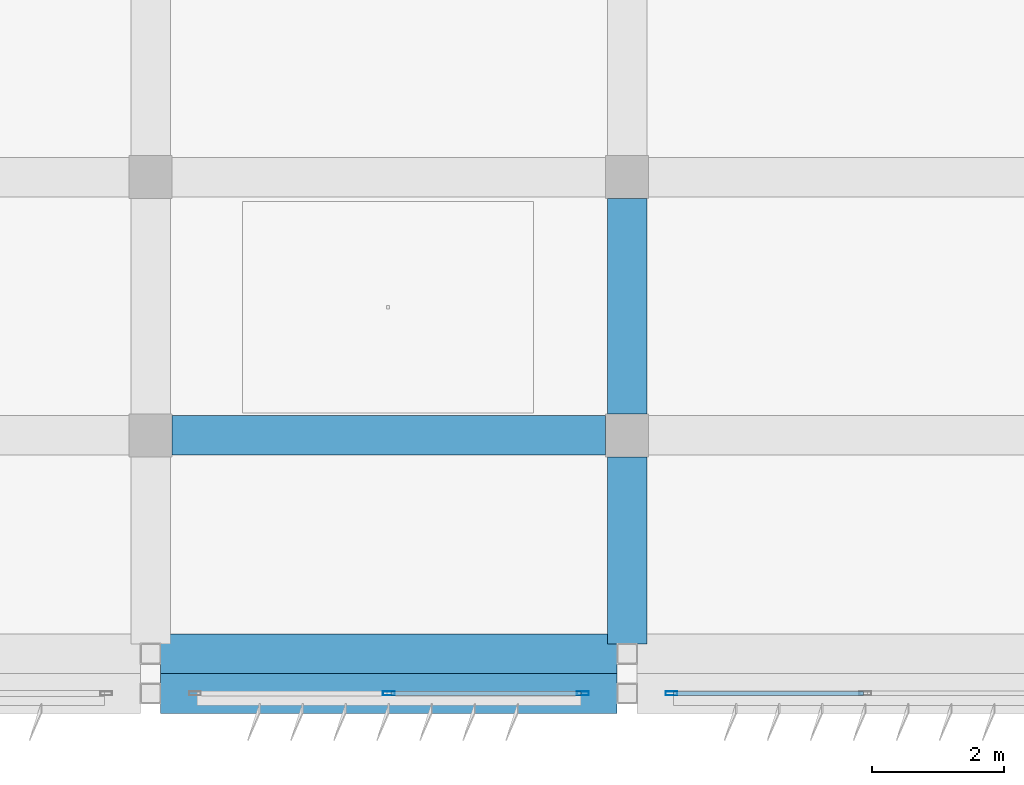
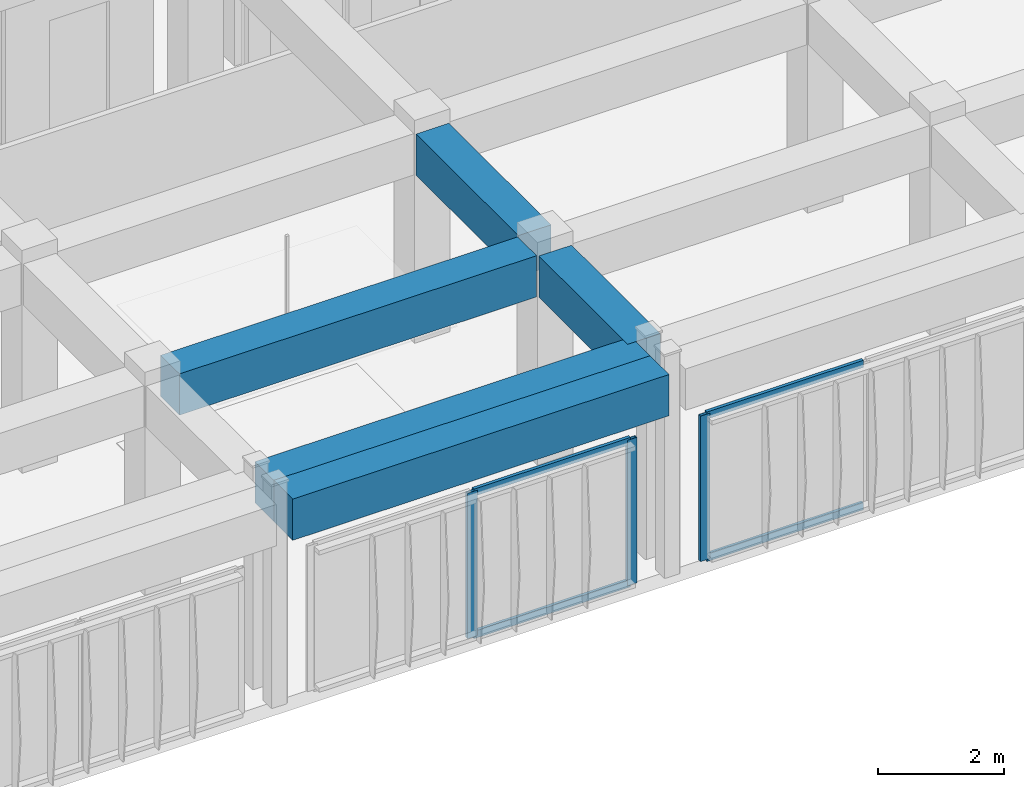
# One storey, part 8 of 42: 7 members, 5 beams, 2 elements without a shape of their own.
"""IFC4 building model written with IfcOpenShell, lengths in metres."""

import ifcopenshell
import ifcopenshell.guid

model = None  # the IFC model being written
_history = None  # IfcOwnerHistory: only IFC2X3 demands one
_inside = {}  # id of a spatial element -> (the spatial element, [elements in it])
_under = {}  # id of a project, library or spatial element -> (it, [spatial elements below it])
_declared = {}  # id of a project -> (the project, [libraries it declares])
_typed = {}  # id of a type object -> (the type object, [elements of that type])
_made_of = {}  # id of a material, layer set ... -> (it, [elements and type objects made of it])


def new_model(schema):
    """Start an empty IFC model of exactly this schema.

    Asked for "IFC4X3", IfcOpenShell would pick the latest addendum, in which some entities
    have other attributes; the version numbers below select the first issue.
    IFC2X3 requires an IfcOwnerHistory on every rooted entity: one is made here for all.
    """
    global model, _history
    if schema == "IFC4X3":
        model = ifcopenshell.file(schema_version=(4, 3, 0, 0))
    else:
        model = ifcopenshell.file(schema=schema)
    _inside.clear()
    _under.clear()
    _declared.clear()
    _typed.clear()
    _made_of.clear()
    _history = None
    if model.schema == "IFC2X3":
        org = make("IfcOrganization", Name="unknown")
        user = make(
            "IfcPersonAndOrganization",
            ThePerson=make("IfcPerson", FamilyName="unknown"),
            TheOrganization=org,
        )
        app = make(
            "IfcApplication",
            ApplicationDeveloper=org,
            Version="unknown",
            ApplicationFullName="unknown",
            ApplicationIdentifier="unknown",
        )
        _history = make(
            "IfcOwnerHistory",
            OwningUser=user,
            OwningApplication=app,
            ChangeAction="ADDED",
            CreationDate=0,
        )
    return model


def make(cls, **values):
    """One entity of the class cls with the attributes given. An attribute that is None is left unset."""
    return model.create_entity(
        cls, **{name: value for name, value in values.items() if value is not None}
    )


def rooted(cls, **values):
    """An entity with a GlobalId (a new one), such as an element, a storey or a relation."""
    return make(cls, GlobalId=ifcopenshell.guid.new(), OwnerHistory=_history, **values)


def si_unit(unit_type, name, prefix=None):
    """IfcSIUnit, for example si_unit("LENGTHUNIT", "METRE", prefix="MILLI")."""
    return make("IfcSIUnit", UnitType=unit_type, Prefix=prefix, Name=name)


def assignment(units):
    """IfcUnitAssignment: the units of a project."""
    return None if units is None else make("IfcUnitAssignment", Units=units)


def point(xyz):
    """IfcCartesianPoint."""
    return None if xyz is None else make("IfcCartesianPoint", Coordinates=xyz)


def direction(xyz):
    """IfcDirection."""
    return None if xyz is None else make("IfcDirection", DirectionRatios=xyz)


def frame(location, z_axis=None, x_axis=None):
    """IfcAxis2Placement3D, a coordinate frame: its origin and axes. An axis left out is left unset."""
    return make(
        "IfcAxis2Placement3D",
        Location=point(location),
        Axis=direction(z_axis),
        RefDirection=direction(x_axis),
    )


def frame_2d(location, x_axis=None):
    """IfcAxis2Placement2D, a coordinate frame in the plane: its origin and x axis."""
    return make(
        "IfcAxis2Placement2D", Location=point(location), RefDirection=direction(x_axis)
    )


def origin():
    """The frame at (0, 0, 0) with its axes left unset."""
    return frame((0.0, 0.0, 0.0))


def origin_2d():
    """The frame at (0, 0) in the plane with its x axis left unset."""
    return frame_2d((0.0, 0.0))


def place(relative_to, where):
    """IfcLocalPlacement: puts the frame where relative to a parent placement (None: the world)."""
    return make(
        "IfcLocalPlacement", PlacementRelTo=relative_to, RelativePlacement=where
    )


def context(
    kind, dimensions, precision=None, world=None, true_north=None, identifier=None
):
    """IfcGeometricRepresentationContext, for example the 3D "Model" context."""
    return make(
        "IfcGeometricRepresentationContext",
        ContextIdentifier=identifier,
        ContextType=kind,
        CoordinateSpaceDimension=dimensions,
        Precision=precision,
        WorldCoordinateSystem=world,
        TrueNorth=true_north,
    )


def subcontext(parent, identifier, kind, view, scale=None):
    """IfcGeometricRepresentationSubContext, for example "Body" below "Model"."""
    return make(
        "IfcGeometricRepresentationSubContext",
        ContextIdentifier=identifier,
        ContextType=kind,
        ParentContext=parent,
        TargetScale=scale,
        TargetView=view,
    )


def project(units=None, contexts=None):
    """IfcProject with its units and contexts."""
    return rooted(
        "IfcProject",
        Name="project",
        RepresentationContexts=contexts,
        UnitsInContext=assignment(units),
    )


def spatial(cls, under=None, at=None, **own):
    """A site, building, storey or space (cls), placed at a placement, below another one or the project."""
    s = rooted(cls, ObjectPlacement=at, **own)
    if under is not None:
        _under.setdefault(under.id(), (under, []))[1].append(s)
    return s


def profile(cls, at=None, kind="AREA", **sizes):
    """A parametric profile (cls). Its sizes go by their IFC names, for example OverallWidth=200.0."""
    return make(cls, ProfileType=kind, Position=at, **sizes)


def rectangle(**sizes):
    """IfcRectangleProfileDef."""
    return profile("IfcRectangleProfileDef", **sizes)


def hollow_rectangle(**sizes):
    """IfcRectangleHollowProfileDef."""
    return profile("IfcRectangleHollowProfileDef", **sizes)


def extrude(swept, where, along, depth):
    """IfcExtrudedAreaSolid: the profile swept, set in the frame where, extruded along a direction by depth."""
    return make(
        "IfcExtrudedAreaSolid",
        SweptArea=swept,
        Position=where,
        ExtrudedDirection=direction(along),
        Depth=depth,
    )


def shape(context_of_items, identifier, shape_type, items):
    """IfcShapeRepresentation: the items that make up one representation, for example the "Body"."""
    return make(
        "IfcShapeRepresentation",
        ContextOfItems=context_of_items,
        RepresentationIdentifier=identifier,
        RepresentationType=shape_type,
        Items=items,
    )


def material(Name=None, Category=None):
    """IfcMaterial."""
    return make("IfcMaterial", Name=Name, Category=Category)


def material_profile(
    of_material, cross_section, Name=None, Category=None, Priority=None
):
    """IfcMaterialProfile: a cross section and its material."""
    return make(
        "IfcMaterialProfile",
        Name=Name,
        Material=of_material,
        Profile=cross_section,
        Priority=Priority,
        Category=Category,
    )


def profile_set(profiles, Name=None, composite=None):
    """IfcMaterialProfileSet."""
    return make(
        "IfcMaterialProfileSet",
        Name=Name,
        MaterialProfiles=profiles,
        CompositeProfile=composite,
    )


def made_of(thing, what):
    """Note that an element or type object is made of a material, layer set ...; save() writes the relation."""
    if what is not None:
        _made_of.setdefault(what.id(), (what, []))[1].append(thing)
    return thing


def type_object(cls, material=None, **own):
    """A type object (cls), such as IfcWallType, which elements share."""
    return made_of(rooted(cls, **own), material)


def element(
    cls,
    number,
    at=None,
    inside=None,
    cuts=None,
    type_object=None,
    material=None,
    context=None,
    identifier="Body",
    shape_type=None,
    held_by="IfcProductDefinitionShape",
    body=None,
    shapes=None,
    **own,
):
    """One element of the class cls, such as IfcWall. Its Tag is "e" and its number.

    at: its placement. inside: the storey or other place that contains it. cuts: it is an
    opening in that element (IfcRelVoidsElement). A single representation is given by context,
    identifier, shape_type and body (its items); several are given by shapes. held_by: the class
    of the entity that holds the representations. save() writes the other relations.
    """
    e = rooted(cls, Tag="e%d" % number, ObjectPlacement=at, **own)
    if body is not None:
        shapes = [shape(context, identifier, shape_type, body)]
    if shapes is not None:
        e.Representation = make(held_by, Representations=shapes)
    if inside is not None:
        _inside.setdefault(inside.id(), (inside, []))[1].append(e)
    if cuts is not None:
        rooted(
            "IfcRelVoidsElement", RelatingBuildingElement=cuts, RelatedOpeningElement=e
        )
    if type_object is not None:
        _typed.setdefault(type_object.id(), (type_object, []))[1].append(e)
    return made_of(e, material)


def aggregate(whole, parts):
    """IfcRelAggregates: a whole, such as a stair, and the parts it consists of."""
    return rooted("IfcRelAggregates", RelatingObject=whole, RelatedObjects=parts)


def save(model, path):
    """Write the relations noted so far, then the file.

    IfcRelAggregates (storeys below a building ...), IfcRelContainedInSpatialStructure (elements
    in a storey), IfcRelDefinesByType, IfcRelAssociatesMaterial and IfcRelDeclares: one each for
    every whole, place, type object, material and project.
    """
    for whole, parts in _under.values():
        aggregate(whole, parts)
    for where, things in _inside.values():
        rooted(
            "IfcRelContainedInSpatialStructure",
            RelatedElements=things,
            RelatingStructure=where,
        )
    for kind, things in _typed.values():
        rooted("IfcRelDefinesByType", RelatedObjects=things, RelatingType=kind)
    for what, things in _made_of.values():
        rooted("IfcRelAssociatesMaterial", RelatedObjects=things, RelatingMaterial=what)
    for by, libraries in _declared.values():
        rooted("IfcRelDeclares", RelatingContext=by, RelatedDefinitions=libraries)
    model.write(path)


model = new_model("IFC4")

# Units and contexts
model_context = context("Model", 3, precision=1e-05, world=origin(), true_north=direction((0.0, 1.0)))
body_context = subcontext(model_context, "Body", "Model", "MODEL_VIEW")
ifc_project = project(units=[si_unit("LENGTHUNIT", "METRE"), si_unit("AREAUNIT", "SQUARE_METRE"), si_unit("VOLUMEUNIT", "CUBIC_METRE"), si_unit("PLANEANGLEUNIT", "RADIAN"), si_unit("MASSUNIT", "GRAM", prefix="KILO")], contexts=[model_context])

# Site, building, storey
site_placement = place(None, origin())
site = spatial("IfcSite", under=ifc_project, at=site_placement, CompositionType="ELEMENT")
building_placement = place(site_placement, origin())
building = spatial("IfcBuilding", under=site, at=building_placement, Name="Kazehaya Institute of Natural Sciences", CompositionType="ELEMENT")
storey_placement = place(building_placement, frame((0.0, 0.0, 37.6201171875)))
storey = spatial("IfcBuildingStorey", under=building, at=storey_placement, Name="L08", CompositionType="ELEMENT", Elevation=37.6201171875)

# Beams
ifc_material_1 = material(Name="Concrete Fc36", Category="concrete")
ifc_material_profile_1 = material_profile(ifc_material_1, rectangle(XDim=0.60009765625, YDim=0.800048828125, at=origin_2d()), Name="RC-600x800")
ifc_profile_set_1 = profile_set([ifc_material_profile_1], Name="Concrete Fc36")
beam_type = type_object("IfcBeamType", Name="BM-G-600x800", PredefinedType="BEAM", material=ifc_profile_set_1)
for number, where, z_axis, x_axis, name in (
    (1, (76.35009765625, 6.199951171875, 3.64990234375), (1.0, 0.0, 0.0), (0.0, 1.0, 0.0), "L08 primary X girder BMX-L08-762-62"),
    (2, (76.35009765625, 6.800048828125, 3.64990234375), (1.0, 0.0, 0.0), (0.0, 1.0, 0.0), "L08 primary X girder BMX-L08-762-68"),
):
    element("IfcBeam", number, at=place(storey_placement, frame(where, z_axis=z_axis, x_axis=x_axis)), inside=storey, type_object=beam_type, Name=name, PredefinedType="BEAM", context=body_context, shape_type="SweptSolid", body=[
        extrude(rectangle(XDim=0.60009765625, YDim=0.800048828125, at=origin_2d()), origin(), (0.0, 0.0, 1.0), 6.89990234375),
    ])
beam_1_placement = place(storey_placement, frame((76.52490234375, 10.10009765625, 3.64990234375), z_axis=(1.0, 0.0, 0.0), x_axis=(0.0, 1.0, 0.0)))
element("IfcBeam", 3, at=beam_1_placement, inside=storey, type_object=beam_type, Name="L08 primary X girder BMX-L08-762-101", PredefinedType="BEAM", context=body_context, shape_type="SweptSolid", body=[
    extrude(rectangle(XDim=0.60009765625, YDim=0.800048828125, at=origin_2d()), origin(), (0.0, 0.0, 1.0), 6.550048828125),
])
beam_2_placement = place(storey_placement, frame((83.39990234375, 6.949951171875, 3.64990234375), z_axis=(0.0, 1.0, 0.0), x_axis=(-1.0, 0.0, 0.0)))
element("IfcBeam", 4, at=beam_2_placement, inside=storey, type_object=beam_type, Name="L08 primary Y girder BMY-L08-834-68", PredefinedType="BEAM", context=body_context, shape_type="SweptSolid", body=[
    extrude(rectangle(XDim=0.60009765625, YDim=0.800048828125, at=origin_2d()), origin(), (0.0, 0.0, 1.0), 2.824951171875),
])
beam_3_placement = place(storey_placement, frame((83.39990234375, 10.425048828125, 3.64990234375), z_axis=(0.0, 1.0, 0.0), x_axis=(-1.0, 0.0, 0.0)))
element("IfcBeam", 5, at=beam_3_placement, inside=storey, type_object=beam_type, Name="L08 primary Y girder BMY-L08-834-101", PredefinedType="BEAM", context=body_context, shape_type="SweptSolid", body=[
    extrude(rectangle(XDim=0.60009765625, YDim=0.800048828125, at=origin_2d()), origin(), (0.0, 0.0, 1.0), 3.25),
])

# Curtain wall, member
ifc_material_2 = material(Name="Aluminium alloy A6063S-T5", Category="aluminium")
curtain_wall_type = type_object("IfcCurtainWallType", Name="CW-SYS-05", PredefinedType="NOTDEFINED", material=ifc_material_2)
curtain_wall_1_placement = place(storey_placement, origin())
curtain_wall_1 = element("IfcCurtainWall", 6, at=curtain_wall_1_placement, inside=storey, type_object=curtain_wall_type, Name="L08 unitised curtain wall CW-L08-180", PredefinedType="NOTDEFINED")
ifc_material_profile_2 = material_profile(ifc_material_2, hollow_rectangle(XDim=0.06005859375, YDim=0.179931640625, WallThickness=0.00390625, at=origin_2d()), Name="ALU-60x180x4")
ifc_profile_set_2 = profile_set([ifc_material_profile_2], Name="Aluminium alloy A6063S-T5")
member_type_1 = type_object("IfcMemberType", Name="CWM-180", PredefinedType="MULLION", material=ifc_profile_set_2)
member_1_placement = place(storey_placement, frame((84.070068359375, 6.199951171875, 0.0), z_axis=(0.0, 0.0, 1.0), x_axis=(0.0, -1.0, 0.0)))
member_1 = element("IfcMember", 7, at=member_1_placement, type_object=member_type_1, Name="CW05 mullion 3", PredefinedType="MULLION", context=body_context, shape_type="SweptSolid", body=[
    extrude(hollow_rectangle(XDim=0.06005859375, YDim=0.179931640625, WallThickness=0.00390625, at=origin_2d()), origin(), (0.0, 0.0, 1.0), 2.81982421875),
])

# Curtain wall, members
curtain_wall_2_placement = place(storey_placement, origin())
curtain_wall_2 = element("IfcCurtainWall", 8, at=curtain_wall_2_placement, inside=storey, type_object=curtain_wall_type, Name="L08 unitised curtain wall CW-L08-181", PredefinedType="NOTDEFINED")
member_2_placement = place(storey_placement, frame((82.72998046875, 6.199951171875, 0.0), z_axis=(0.0, 0.0, 1.0), x_axis=(0.0, -1.0, 0.0)))
member_2 = element("IfcMember", 9, at=member_2_placement, type_object=member_type_1, Name="CW05 mullion 1", PredefinedType="MULLION", context=body_context, shape_type="SweptSolid", body=[
    extrude(hollow_rectangle(XDim=0.06005859375, YDim=0.179931640625, WallThickness=0.00390625, at=origin_2d()), origin(), (0.0, 0.0, 1.0), 2.81982421875),
])
member_3_placement = place(storey_placement, frame((79.800048828125, 6.199951171875, 0.0), z_axis=(0.0, 0.0, 1.0), x_axis=(0.0, -1.0, 0.0)))
member_3 = element("IfcMember", 10, at=member_3_placement, type_object=member_type_1, Name="CW05 mullion 2", PredefinedType="MULLION", context=body_context, shape_type="SweptSolid", body=[
    extrude(hollow_rectangle(XDim=0.06005859375, YDim=0.179931640625, WallThickness=0.00390625, at=origin_2d()), origin(), (0.0, 0.0, 1.0), 2.81982421875),
])

# Member
ifc_material_profile_3 = material_profile(ifc_material_2, hollow_rectangle(XDim=0.06005859375, YDim=0.139892578125, WallThickness=0.00341796875, at=origin_2d()), Name="ALU-60x140x3.5")
ifc_profile_set_3 = profile_set([ifc_material_profile_3], Name="Aluminium alloy A6063S-T5")
member_type_2 = type_object("IfcMemberType", Name="CWT-140", PredefinedType="USERDEFINED", material=ifc_profile_set_3)
member_4_placement = place(storey_placement, frame((86.969970703125, 6.199951171875, 0.02978515625), z_axis=(-1.0, 0.0, 0.0), x_axis=(0.0, -1.0, 0.0)))
member_4 = element("IfcMember", 11, at=member_4_placement, type_object=member_type_2, Name="CW05 transom 2.1", ObjectType="TRANSOM", PredefinedType="USERDEFINED", context=body_context, shape_type="SweptSolid", body=[
    extrude(hollow_rectangle(XDim=0.06005859375, YDim=0.139892578125, WallThickness=0.00341796875, at=origin_2d()), origin(), (0.0, 0.0, 1.0), 2.869873046875),
])

member_5_placement = place(storey_placement, frame((86.969970703125, 6.199951171875, 2.789794921875), z_axis=(-1.0, 0.0, 0.0), x_axis=(0.0, -1.0, 0.0)))
member_5 = element("IfcMember", 12, at=member_5_placement, type_object=member_type_2, Name="CW05 transom 2.2", ObjectType="TRANSOM", PredefinedType="USERDEFINED", context=body_context, shape_type="SweptSolid", body=[
    extrude(hollow_rectangle(XDim=0.06005859375, YDim=0.139892578125, WallThickness=0.00341796875, at=origin_2d()), origin(), (0.0, 0.0, 1.0), 2.869873046875),
])

aggregate(curtain_wall_1, [member_1, member_4, member_5])

member_6_placement = place(storey_placement, frame((82.699951171875, 6.199951171875, 0.02978515625), z_axis=(-1.0, 0.0, 0.0), x_axis=(0.0, -1.0, 0.0)))
member_6 = element("IfcMember", 13, at=member_6_placement, type_object=member_type_2, Name="CW05 transom 1.1", ObjectType="TRANSOM", PredefinedType="USERDEFINED", context=body_context, shape_type="SweptSolid", body=[
    extrude(hollow_rectangle(XDim=0.06005859375, YDim=0.139892578125, WallThickness=0.00341796875, at=origin_2d()), origin(), (0.0, 0.0, 1.0), 2.869873046875),
])

member_7_placement = place(storey_placement, frame((82.699951171875, 6.199951171875, 2.789794921875), z_axis=(-1.0, 0.0, 0.0), x_axis=(0.0, -1.0, 0.0)))
member_7 = element("IfcMember", 14, at=member_7_placement, type_object=member_type_2, Name="CW05 transom 1.2", ObjectType="TRANSOM", PredefinedType="USERDEFINED", context=body_context, shape_type="SweptSolid", body=[
    extrude(hollow_rectangle(XDim=0.06005859375, YDim=0.139892578125, WallThickness=0.00341796875, at=origin_2d()), origin(), (0.0, 0.0, 1.0), 2.869873046875),
])

aggregate(curtain_wall_2, [member_2, member_3, member_6, member_7])

save(model, "model.ifc")
